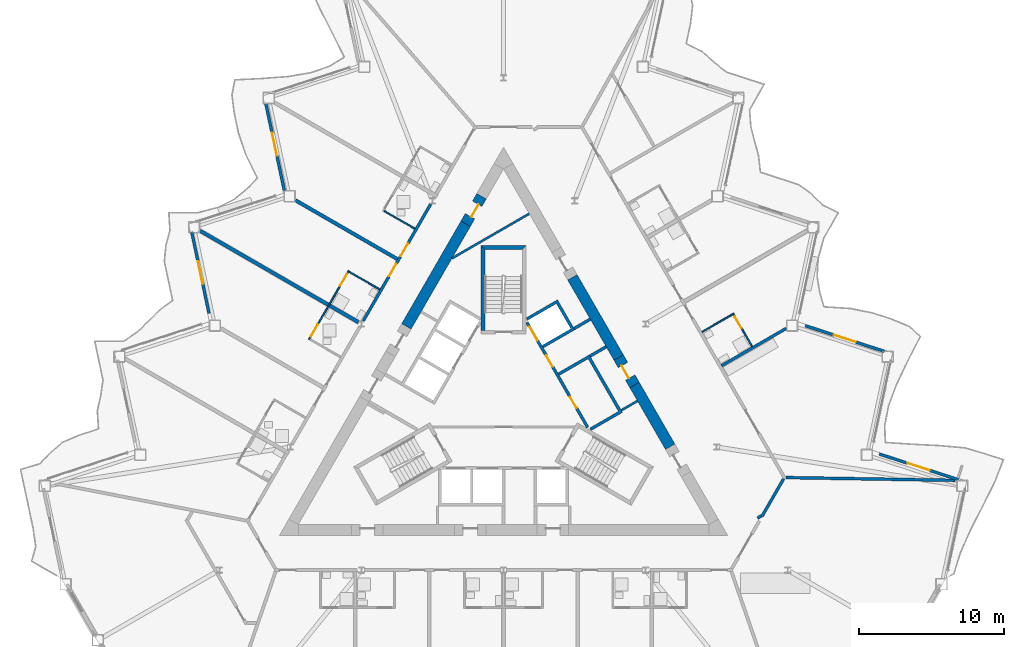
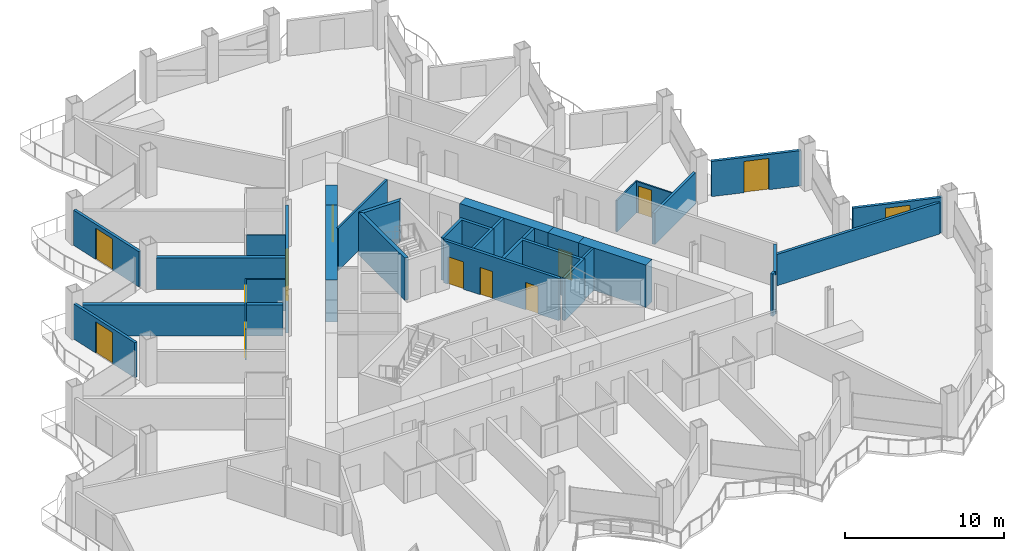
# One storey, part 13 of 23: 30 walls, 14 doors, 14 openings.
"""IFC4 building model written with IfcOpenShell, lengths in metres."""

from ifc_helpers import new_model, si_unit, direction, frame, frame_2d, origin, place, context, subcontext, project, spatial, polyline, rectangle, outline, extrude, material, layer, layer_set, type_object, element, fill, save


model = new_model("IFC4")

# Units and contexts
model_context = context("Model", 3, precision=1e-05, world=origin(), true_north=direction((0.0, 1.0)))
body_context = subcontext(model_context, "Body", "Model", "MODEL_VIEW")
ifc_project = project(units=[si_unit("LENGTHUNIT", "METRE"), si_unit("AREAUNIT", "SQUARE_METRE"), si_unit("VOLUMEUNIT", "CUBIC_METRE"), si_unit("PLANEANGLEUNIT", "RADIAN"), si_unit("MASSUNIT", "GRAM", prefix="KILO")], contexts=[model_context])

# Site, building, storey
site_placement = place(None, origin())
site = spatial("IfcSite", under=ifc_project, at=site_placement, CompositionType="ELEMENT")
building_placement = place(site_placement, origin())
building = spatial("IfcBuilding", under=site, at=building_placement, Name="Cormorant Prow Tower", CompositionType="ELEMENT")
storey_placement = place(building_placement, frame((0.0, 0.0, 180.0)))
storey = spatial("IfcBuildingStorey", under=building, at=storey_placement, Name="L38", CompositionType="ELEMENT", Elevation=180.0)

# Walls
ifc_material_1 = material(Name="Gypsum board partition")
ifc_layer_1 = layer(ifc_material_1, 0.14990234375)
ifc_layer_set_1 = layer_set([ifc_layer_1], Name="Gypsum board partition")
wall_type_1 = type_object("IfcWallType", Name="Core partition 150", PredefinedType="PARTITIONING", material=ifc_layer_set_1)
wall_1_placement = place(storey_placement, frame((9.265625, 0.349365234375, 0.0), z_axis=(0.0, 0.0, 1.0), x_axis=(-0.866003189247, -0.500038474733, 0.0)))
element("IfcWall", 1, at=wall_1_placement, inside=storey, type_object=wall_type_1, Name="Service room partition", PredefinedType="PARTITIONING", context=body_context, shape_type="SweptSolid", body=[
    extrude(rectangle(XDim=1.29296875, YDim=0.14990234375, at=frame_2d((0.646484375, 0.0))), origin(), (0.0, 0.0, 1.0), 3.25),
])
wall_2_placement = place(storey_placement, frame((1.78515625, 13.305908203125, 0.0), z_axis=(0.0, 0.0, 1.0), x_axis=(-0.866038319186, -0.499977629202, 0.0)))
element("IfcWall", 2, at=wall_2_placement, inside=storey, type_object=wall_type_1, Name="Service room partition", PredefinedType="PARTITIONING", context=body_context, shape_type="SweptSolid", body=[
    extrude(rectangle(XDim=6.183837890625, YDim=0.14990234375, at=frame_2d((3.091796875, 0.0))), origin(), (0.0, 0.0, 1.0), 3.25),
])
ifc_material_2 = material(Name="Concrete 8000 psi", Category="concrete")
ifc_layer_2 = layer(ifc_material_2, 0.75)
ifc_layer_set_2 = layer_set([ifc_layer_2], Name="Concrete 8000 psi")
wall_type_2 = type_object("IfcWallType", Name="Core shear wall 750", PredefinedType="SHEAR", material=ifc_layer_set_2)
wall_3_placement = place(storey_placement, frame((7.964111328125, 3.353759765625, 0.0), z_axis=(0.0, 0.0, 1.0), x_axis=(-0.50002928721, 0.866008494146, 0.0)))
element("IfcWall", 3, at=wall_3_placement, inside=storey, type_object=wall_type_2, Name="Core wall", PredefinedType="SHEAR", context=body_context, shape_type="SweptSolid", body=[
    extrude(rectangle(XDim=6.4052734375, YDim=0.75, at=frame_2d((3.20263671875, 0.0))), origin(), (0.0, 0.0, 1.0), 3.25),
])
wall_4_placement = place(storey_placement, frame((11.52685546875, -2.817138671875, 0.0), z_axis=(0.0, 0.0, 1.0), x_axis=(-0.50001992892, 0.866013897511, 0.0)))
element("IfcWall", 4, at=wall_4_placement, inside=storey, type_object=wall_type_2, Name="Core wall", PredefinedType="SHEAR", context=body_context, shape_type="SweptSolid", body=[
    extrude(rectangle(XDim=4.925537109375, YDim=0.75, at=frame_2d((2.462890625, 0.0))), origin(), (0.0, 0.0, 1.0), 3.25),
])
wall_5_placement = place(storey_placement, frame((-2.622314453125, 12.605712890625, 0.0), z_axis=(0.0, 0.0, 1.0), x_axis=(-0.500014611105, -0.866016967894, 0.0)))
element("IfcWall", 5, at=wall_5_placement, inside=storey, type_object=wall_type_2, Name="Core wall", PredefinedType="SHEAR", context=body_context, shape_type="SweptSolid", body=[
    extrude(rectangle(XDim=8.197998046875, YDim=0.75, at=frame_2d((4.09912109375, 0.0))), origin(), (0.0, 0.0, 1.0), 3.25),
])

# Wall, opening, door
wall_6_placement = place(storey_placement, frame((9.064208984375, 1.448486328125, 0.0), z_axis=(0.0, 0.0, 1.0), x_axis=(-0.50002983664, 0.866008176907, 0.0)))
wall_6 = element("IfcWall", 6, at=wall_6_placement, inside=storey, type_object=wall_type_2, Name="Core wall door panel", PredefinedType="SHEAR", context=body_context, shape_type="SweptSolid", body=[
    extrude(rectangle(XDim=2.199951171875, YDim=0.75, at=frame_2d((1.10009765625, 0.0))), origin(), (0.0, 0.0, 1.0), 3.25),
])
opening_1_placement = place(wall_6_placement, frame((0.60009765625, 0.0, 0.0)))
opening_1 = element("IfcOpeningElement", 7, at=opening_1_placement, cuts=wall_6, Name="Opening L38-C18", PredefinedType="OPENING", context=body_context, shape_type="SweptSolid", body=[
    extrude(rectangle(XDim=1.0, YDim=2.10009765625, at=frame_2d((0.5, 1.050048828125))), frame((0.0, 0.385009765625, 0.0), z_axis=(0.0, -1.0, 0.0), x_axis=(1.0, 0.0, 0.0)), (0.0, 0.0, 1.0), 0.77001953125),
])
ifc_material_3 = material(Name="Painted steel", Category="steel")
door_type_1 = type_object("IfcDoorType", Name="Service door 1000x2100", OperationType="NOTDEFINED", PredefinedType="DOOR", material=ifc_material_3)
door_1_placement = place(opening_1_placement, origin())
door_1 = element("IfcDoor", 8, at=door_1_placement, inside=storey, type_object=door_type_1, Name="Core door, Housekeeping store", OperationType="SINGLE_SWING_RIGHT", OverallHeight=2.10009765625, OverallWidth=1.0, PredefinedType="DOOR", context=body_context, shape_type="SweptSolid", body=[
    extrude(rectangle(XDim=1.0, YDim=2.10009765625, at=frame_2d((0.5, 1.050048828125))), frame((0.0, 0.1298828125, 0.0), z_axis=(0.0, -1.0, 0.0), x_axis=(1.0, 0.0, 0.0)), (0.0, 0.0, 1.0), 0.050048828125),
])
fill(opening_1, door_1)

wall_7_placement = place(storey_placement, frame((-1.5224609375, 14.510986328125, 0.0), z_axis=(0.0, 0.0, 1.0), x_axis=(-0.499946605688, -0.86605622881, 0.0)))
wall_7 = element("IfcWall", 9, at=wall_7_placement, inside=storey, type_object=wall_type_2, Name="Core wall door panel", PredefinedType="SHEAR", context=body_context, shape_type="SweptSolid", body=[
    extrude(rectangle(XDim=2.199951171875, YDim=0.75, at=frame_2d((1.10009765625, 0.0))), origin(), (0.0, 0.0, 1.0), 3.25),
])
opening_2_placement = place(wall_7_placement, frame((0.60009765625, 0.0, 0.0)))
opening_2 = element("IfcOpeningElement", 10, at=opening_2_placement, cuts=wall_7, Name="Opening L38-C21", PredefinedType="OPENING", context=body_context, shape_type="SweptSolid", body=[
    extrude(rectangle(XDim=1.0, YDim=2.10009765625, at=frame_2d((0.5, 1.050048828125))), frame((0.0, 0.385009765625, 0.0), z_axis=(0.0, -1.0, 0.0), x_axis=(1.0, 0.0, 0.0)), (0.0, 0.0, 1.0), 0.77001953125),
])
door_2_placement = place(opening_2_placement, origin())
door_2 = element("IfcDoor", 11, at=door_2_placement, inside=storey, type_object=door_type_1, Name="Core door, Refuse store", OperationType="SINGLE_SWING_LEFT", OverallHeight=2.10009765625, OverallWidth=1.0, PredefinedType="DOOR", context=body_context, shape_type="SweptSolid", body=[
    extrude(rectangle(XDim=1.0, YDim=2.10009765625, at=frame_2d((0.5, 1.050048828125))), frame((0.0, 0.1298828125, 0.0), z_axis=(0.0, -1.0, 0.0), x_axis=(1.0, 0.0, 0.0)), (0.0, 0.0, 1.0), 0.050048828125),
])
fill(opening_2, door_2)

# Wall, openings, doors
ifc_material_4 = material(Name="Gypsum board corridor wall")
ifc_layer_3 = layer(ifc_material_4, 0.199951171875)
ifc_layer_set_3 = layer_set([ifc_layer_3], Name="Gypsum board corridor wall")
wall_type_3 = type_object("IfcWallType", Name="Corridor wall 200", PredefinedType="PARTITIONING", material=ifc_layer_set_3)
wall_8_placement = place(storey_placement, frame((-9.705078125, 5.88818359375, 0.0), z_axis=(0.0, 0.0, 1.0), x_axis=(0.50000393355, 0.866023132736, 0.0)))
wall_8 = element("IfcWall", 12, at=wall_8_placement, inside=storey, type_object=wall_type_3, Name="Corridor wall", PredefinedType="PARTITIONING", context=body_context, shape_type="SweptSolid", body=[
    extrude(rectangle(XDim=9.3349609375, YDim=0.199951171875, at=frame_2d((4.66748046875, 0.0))), origin(), (0.0, 0.0, 1.0), 3.25),
])
opening_3_placement = place(wall_8_placement, frame((5.171875, 0.0, 0.0)))
opening_3 = element("IfcOpeningElement", 13, at=opening_3_placement, cuts=wall_8, Name="Opening L38-F26", PredefinedType="OPENING", context=body_context, shape_type="SweptSolid", body=[
    extrude(rectangle(XDim=1.0, YDim=2.10009765625, at=frame_2d((0.5, 1.050048828125))), frame((0.0, 0.10986328125, 0.0), z_axis=(0.0, -1.0, 0.0), x_axis=(1.0, 0.0, 0.0)), (0.0, 0.0, 1.0), 0.219970703125),
])
opening_4_placement = place(wall_8_placement, frame((3.564697265625, 0.0, 0.0)))
opening_4 = element("IfcOpeningElement", 14, at=opening_4_placement, cuts=wall_8, Name="Opening L38-F28", PredefinedType="OPENING", context=body_context, shape_type="SweptSolid", body=[
    extrude(rectangle(XDim=1.0, YDim=2.10009765625, at=frame_2d((0.5, 1.050048828125))), frame((0.0, 0.10986328125, 0.0), z_axis=(0.0, -1.0, 0.0), x_axis=(1.0, 0.0, 0.0)), (0.0, 0.0, 1.0), 0.219970703125),
])
ifc_material_5 = material(Name="Timber door leaf", Category="wood")
door_type_2 = type_object("IfcDoorType", Name="Flat or room entrance door 1000x2100", OperationType="NOTDEFINED", PredefinedType="DOOR", material=ifc_material_5)
door_3_placement = place(opening_3_placement, origin())
door_3 = element("IfcDoor", 15, at=door_3_placement, inside=storey, type_object=door_type_2, Name="Guest room door", OperationType="SINGLE_SWING_LEFT", OverallHeight=2.10009765625, OverallWidth=1.0, PredefinedType="DOOR", context=body_context, shape_type="SweptSolid", body=[
    extrude(rectangle(XDim=1.0, YDim=2.10009765625, at=frame_2d((0.5, 1.050048828125))), frame((0.0, 0.02490234375, 0.0), z_axis=(0.0, -1.0, 0.0), x_axis=(1.0, 0.0, 0.0)), (0.0, 0.0, 1.0), 0.050048828125),
])
fill(opening_3, door_3)
door_4_placement = place(opening_4_placement, origin())
door_4 = element("IfcDoor", 16, at=door_4_placement, inside=storey, type_object=door_type_2, Name="Guest room door", OperationType="SINGLE_SWING_RIGHT", OverallHeight=2.10009765625, OverallWidth=1.0, PredefinedType="DOOR", context=body_context, shape_type="SweptSolid", body=[
    extrude(rectangle(XDim=1.0, YDim=2.10009765625, at=frame_2d((0.5, 1.050048828125))), frame((0.0, 0.02490234375, 0.0), z_axis=(0.0, -1.0, 0.0), x_axis=(1.0, 0.0, 0.0)), (0.0, 0.0, 1.0), 0.050048828125),
])
fill(opening_4, door_4)

# Walls
wall_9_placement = place(storey_placement, frame((17.875, -7.635498046875, 0.0), z_axis=(0.0, 0.0, 1.0), x_axis=(0.499952404951, 0.866052881055, 0.0)))
element("IfcWall", 17, at=wall_9_placement, inside=storey, type_object=wall_type_3, Name="Corridor wall", PredefinedType="PARTITIONING", context=body_context, shape_type="SweptSolid", body=[
    extrude(rectangle(XDim=3.002197265625, YDim=0.199951171875, at=frame_2d((1.5009765625, 0.0))), origin(), (0.0, 0.0, 1.0), 3.25),
])
wall_10_placement = place(storey_placement, frame((17.56982421875, -7.75390625, 0.0), z_axis=(0.0, 0.0, 1.0), x_axis=(0.866054481515, 0.499949632511, 0.0)))
element("IfcWall", 18, at=wall_10_placement, inside=storey, type_object=wall_type_3, Name="Corridor wall", PredefinedType="PARTITIONING", context=body_context, shape_type="SweptSolid", body=[
    extrude(rectangle(XDim=0.31005859375, YDim=0.199951171875, at=frame_2d((0.155029296875, 0.0))), origin(), (0.0, 0.0, 1.0), 3.25),
])
ifc_material_6 = material(Name="Gypsum board demising wall")
ifc_layer_4 = layer(ifc_material_6, 0.199951171875)
ifc_layer_set_4 = layer_set([ifc_layer_4], Name="Gypsum board demising wall")
wall_type_4 = type_object("IfcWallType", Name="Demising wall 200", PredefinedType="PARTITIONING", material=ifc_layer_set_4)
wall_11_placement = place(storey_placement, frame((19.52587890625, -4.950439453125, 0.0), z_axis=(0.0, 0.0, 1.0), x_axis=(0.99986514458, -0.016422321819, 0.0)))
element("IfcWall", 19, at=wall_11_placement, inside=storey, type_object=wall_type_4, Name="Demising wall", PredefinedType="PARTITIONING", context=body_context, shape_type="SweptSolid", body=[
    extrude(rectangle(XDim=11.714599609375, YDim=0.199951171875, at=frame_2d((5.857421875, 0.0))), origin(), (0.0, 0.0, 1.0), 2.404296875),
])
wall_12_placement = place(storey_placement, frame((15.07666015625, 2.7841796875, 0.0), z_axis=(0.0, 0.0, 1.0), x_axis=(0.866020469142, 0.500008546953, 0.0)))
element("IfcWall", 20, at=wall_12_placement, inside=storey, type_object=wall_type_4, Name="Demising wall", PredefinedType="PARTITIONING", context=body_context, shape_type="SweptSolid", body=[
    extrude(rectangle(XDim=5.1708984375, YDim=0.199951171875, at=frame_2d((2.58544921875, 0.0))), origin(), (0.0, 0.0, 1.0), 2.404296875),
])

# Wall, openings, doors
ifc_material_7 = material(Name="Gypsum board partition")
ifc_layer_5 = layer(ifc_material_7, 0.10009765625)
ifc_layer_set_5 = layer_set([ifc_layer_5], Name="Gypsum board partition")
wall_type_5 = type_object("IfcWallType", Name="Internal partition 100", PredefinedType="PARTITIONING", material=ifc_layer_set_5)
wall_13_placement = place(storey_placement, frame((-13.455078125, 4.593017578125, 0.0), z_axis=(0.0, 0.0, 1.0), x_axis=(0.500015767406, 0.866016300277, 0.0)))
wall_13 = element("IfcWall", 21, at=wall_13_placement, inside=storey, type_object=wall_type_5, Name="Internal partition", PredefinedType="PARTITIONING", context=body_context, shape_type="SweptSolid", body=[
    extrude(rectangle(XDim=5.499755859375, YDim=0.10009765625, at=frame_2d((2.75, 0.0))), origin(), (0.0, 0.0, 1.0), 2.404296875),
])
opening_5_placement = place(wall_13_placement, frame((4.300048828125, 0.0, 0.0)))
opening_5 = element("IfcOpeningElement", 22, at=opening_5_placement, cuts=wall_13, Name="Opening L38-F29", PredefinedType="OPENING", context=body_context, shape_type="SweptSolid", body=[
    extrude(rectangle(XDim=0.949951171875, YDim=2.10009765625, at=frame_2d((0.47509765625, 1.050048828125))), frame((0.0, 0.06005859375, 0.0), z_axis=(0.0, -1.0, 0.0), x_axis=(1.0, 0.0, 0.0)), (0.0, 0.0, 1.0), 0.1201171875),
])
opening_6_placement = place(wall_13_placement, frame((0.25, 0.0, 0.0)))
opening_6 = element("IfcOpeningElement", 23, at=opening_6_placement, cuts=wall_13, Name="Opening L38-F31", PredefinedType="OPENING", context=body_context, shape_type="SweptSolid", body=[
    extrude(rectangle(XDim=0.949951171875, YDim=2.10009765625, at=frame_2d((0.47509765625, 1.050048828125))), frame((0.0, 0.06005859375, 0.0), z_axis=(0.0, -1.0, 0.0), x_axis=(1.0, 0.0, 0.0)), (0.0, 0.0, 1.0), 0.1201171875),
])
ifc_material_8 = material(Name="Timber door leaf", Category="wood")
door_type_3 = type_object("IfcDoorType", Name="Bathroom door 950x2100", OperationType="NOTDEFINED", PredefinedType="DOOR", material=ifc_material_8)
door_5_placement = place(opening_5_placement, origin())
door_5 = element("IfcDoor", 24, at=door_5_placement, inside=storey, type_object=door_type_3, Name="Guest room door", OperationType="SINGLE_SWING_RIGHT", OverallHeight=2.10009765625, OverallWidth=0.949951171875, PredefinedType="DOOR", context=body_context, shape_type="SweptSolid", body=[
    extrude(rectangle(XDim=0.949951171875, YDim=2.10009765625, at=frame_2d((0.47509765625, 1.050048828125))), frame((0.0, 0.02490234375, 0.0), z_axis=(0.0, -1.0, 0.0), x_axis=(1.0, 0.0, 0.0)), (0.0, 0.0, 1.0), 0.050048828125),
])
fill(opening_5, door_5)
door_6_placement = place(opening_6_placement, origin())
door_6 = element("IfcDoor", 25, at=door_6_placement, inside=storey, type_object=door_type_3, Name="Guest room door", OperationType="SINGLE_SWING_LEFT", OverallHeight=2.10009765625, OverallWidth=0.949951171875, PredefinedType="DOOR", context=body_context, shape_type="SweptSolid", body=[
    extrude(rectangle(XDim=0.949951171875, YDim=2.10009765625, at=frame_2d((0.47509765625, 1.050048828125))), frame((0.0, 0.02490234375, 0.0), z_axis=(0.0, -1.0, 0.0), x_axis=(1.0, 0.0, 0.0)), (0.0, 0.0, 1.0), 0.050048828125),
])
fill(opening_6, door_6)

# Wall, opening, door
wall_14_placement = place(storey_placement, frame((15.86669921875, 6.415771484375, 0.0), z_axis=(0.0, 0.0, 1.0), x_axis=(0.500062700197, -0.865989200783, 0.0)))
wall_14 = element("IfcWall", 26, at=wall_14_placement, inside=storey, type_object=wall_type_5, Name="Internal partition", PredefinedType="PARTITIONING", context=body_context, shape_type="SweptSolid", body=[
    extrude(rectangle(XDim=2.650146484375, YDim=0.10009765625, at=frame_2d((1.3251953125, 0.0))), origin(), (0.0, 0.0, 1.0), 2.404296875),
])
opening_7_placement = place(wall_14_placement, frame((0.25, 0.0, 0.0)))
opening_7 = element("IfcOpeningElement", 27, at=opening_7_placement, cuts=wall_14, Name="Opening L38-F16", PredefinedType="OPENING", context=body_context, shape_type="SweptSolid", body=[
    extrude(rectangle(XDim=0.949951171875, YDim=2.10009765625, at=frame_2d((0.47509765625, 1.050048828125))), frame((0.0, 0.06005859375, 0.0), z_axis=(0.0, -1.0, 0.0), x_axis=(1.0, 0.0, 0.0)), (0.0, 0.0, 1.0), 0.1201171875),
])
door_7_placement = place(opening_7_placement, origin())
door_7 = element("IfcDoor", 28, at=door_7_placement, inside=storey, type_object=door_type_3, Name="Guest room door", OperationType="SINGLE_SWING_LEFT", OverallHeight=2.10009765625, OverallWidth=0.949951171875, PredefinedType="DOOR", context=body_context, shape_type="SweptSolid", body=[
    extrude(rectangle(XDim=0.949951171875, YDim=2.10009765625, at=frame_2d((0.47509765625, 1.050048828125))), frame((0.0, 0.02490234375, 0.0), z_axis=(0.0, -1.0, 0.0), x_axis=(1.0, 0.0, 0.0)), (0.0, 0.0, 1.0), 0.050048828125),
])
fill(opening_7, door_7)

# Walls
wall_15_placement = place(storey_placement, frame((-8.259765625, 13.49169921875, 0.0), z_axis=(0.0, 0.0, 1.0), x_axis=(0.866014668023, -0.500018594424, 0.0)))
element("IfcWall", 29, at=wall_15_placement, inside=storey, type_object=wall_type_5, Name="Internal partition", PredefinedType="PARTITIONING", context=body_context, shape_type="SweptSolid", body=[
    extrude(rectangle(XDim=2.4501953125, YDim=0.10009765625, at=frame_2d((1.22509765625, 0.0))), origin(), (0.0, 0.0, 1.0), 2.404296875),
])
for number, where, z_axis, x_axis, name in (
    (30, (13.726806640625, 5.12255859375, 0.0), (0.0, 0.0, 1.0), (0.866032905446, 0.499987006516, 0.0), "Internal partition"),
    (31, (-10.686767578125, 9.28759765625, 0.0), (0.0, 0.0, 1.0), (0.866032905446, -0.499987006516, 0.0), "Internal partition"),
):
    element("IfcWall", number, at=place(storey_placement, frame(where, z_axis=z_axis, x_axis=x_axis)), inside=storey, type_object=wall_type_5, Name=name, PredefinedType="PARTITIONING", context=body_context, shape_type="SweptSolid", body=[
        extrude(rectangle(XDim=2.44970703125, YDim=0.10009765625, at=frame_2d((1.224853515625, 0.0))), origin(), (0.0, 0.0, 1.0), 2.404296875),
    ])

# Wall, openings, doors
ifc_material_9 = material(Name="Concrete 5000 psi", Category="concrete")
ifc_layer_6 = layer(ifc_material_9, 0.199951171875)
ifc_layer_set_6 = layer_set([ifc_layer_6], Name="Concrete 5000 psi")
wall_type_6 = type_object("IfcWallType", Name="Lift lobby wall 200", PredefinedType="SOLIDWALL", material=ifc_layer_set_6)
wall_16_placement = place(storey_placement, frame((5.817138671875, -1.4755859375, 0.0), z_axis=(0.0, 0.0, 1.0), x_axis=(-0.500002616675, 0.866023893041, 0.0)))
wall_16 = element("IfcWall", 32, at=wall_16_placement, inside=storey, type_object=wall_type_6, Name="Lift lobby wall, ENE block", PredefinedType="SOLIDWALL", context=body_context, shape_type="SweptSolid", body=[
    extrude(rectangle(XDim=8.373046875, YDim=0.199951171875, at=frame_2d((4.1865234375, 0.0))), origin(), (0.0, 0.0, 1.0), 3.25),
])
opening_8_placement = place(wall_16_placement, frame((1.53662109375, 0.0, 0.0)))
opening_8 = element("IfcOpeningElement", 33, at=opening_8_placement, cuts=wall_16, Name="Opening L38-C05", PredefinedType="OPENING", context=body_context, shape_type="SweptSolid", body=[
    extrude(rectangle(XDim=0.89990234375, YDim=2.10009765625, at=frame_2d((0.449951171875, 1.050048828125))), frame((0.0, 0.10986328125, 0.0), z_axis=(0.0, -1.0, 0.0), x_axis=(1.0, 0.0, 0.0)), (0.0, 0.0, 1.0), 0.219970703125),
])
opening_9_placement = place(wall_16_placement, frame((4.836669921875, 0.0, 0.0)))
opening_9 = element("IfcOpeningElement", 34, at=opening_9_placement, cuts=wall_16, Name="Opening L38-C06", PredefinedType="OPENING", context=body_context, shape_type="SweptSolid", body=[
    extrude(rectangle(XDim=0.89990234375, YDim=2.10009765625, at=frame_2d((0.449951171875, 1.050048828125))), frame((0.0, 0.10986328125, 0.0), z_axis=(0.0, -1.0, 0.0), x_axis=(1.0, 0.0, 0.0)), (0.0, 0.0, 1.0), 0.219970703125),
])
opening_10_placement = place(wall_16_placement, frame((6.9365234375, 0.0, 0.0)))
opening_10 = element("IfcOpeningElement", 35, at=opening_10_placement, cuts=wall_16, Name="Opening L38-C07", PredefinedType="OPENING", context=body_context, shape_type="SweptSolid", body=[
    extrude(rectangle(XDim=1.10009765625, YDim=2.10009765625, at=frame_2d((0.550048828125, 1.050048828125))), frame((0.0, 0.10986328125, 0.0), z_axis=(0.0, -1.0, 0.0), x_axis=(1.0, 0.0, 0.0)), (0.0, 0.0, 1.0), 0.219970703125),
])
ifc_material_10 = material(Name="Painted steel", Category="steel")
door_type_4 = type_object("IfcDoorType", Name="Lift landing door 1100x2100", OperationType="SLIDING_TO_LEFT", PredefinedType="DOOR", material=ifc_material_10)
door_8_placement = place(opening_10_placement, origin())
door_8 = element("IfcDoor", 36, at=door_8_placement, inside=storey, type_object=door_type_4, Name="Landing door MR1", OperationType="SLIDING_TO_LEFT", OverallHeight=2.10009765625, OverallWidth=1.10009765625, PredefinedType="DOOR", context=body_context, shape_type="SweptSolid", body=[
    extrude(rectangle(XDim=1.10009765625, YDim=2.10009765625, at=frame_2d((0.550048828125, 1.050048828125))), frame((0.0, 0.02490234375, 0.0), z_axis=(0.0, -1.0, 0.0), x_axis=(1.0, 0.0, 0.0)), (0.0, 0.0, 1.0), 0.050048828125),
])
fill(opening_10, door_8)
ifc_material_11 = material(Name="Painted steel", Category="steel")
door_type_5 = type_object("IfcDoorType", Name="Service door 900x2100", OperationType="NOTDEFINED", PredefinedType="DOOR", material=ifc_material_11)
door_9_placement = place(opening_8_placement, origin())
door_9 = element("IfcDoor", 37, at=door_9_placement, inside=storey, type_object=door_type_5, Name="Service door, Refuse store", OperationType="SINGLE_SWING_LEFT", OverallHeight=2.10009765625, OverallWidth=0.89990234375, PredefinedType="DOOR", context=body_context, shape_type="SweptSolid", body=[
    extrude(rectangle(XDim=0.89990234375, YDim=2.10009765625, at=frame_2d((0.449951171875, 1.050048828125))), frame((0.0, 0.02490234375, 0.0), z_axis=(0.0, -1.0, 0.0), x_axis=(1.0, 0.0, 0.0)), (0.0, 0.0, 1.0), 0.050048828125),
])
fill(opening_8, door_9)
door_10_placement = place(opening_9_placement, origin())
door_10 = element("IfcDoor", 38, at=door_10_placement, inside=storey, type_object=door_type_5, Name="Service door, Telecom room", OperationType="SINGLE_SWING_RIGHT", OverallHeight=2.10009765625, OverallWidth=0.89990234375, PredefinedType="DOOR", context=body_context, shape_type="SweptSolid", body=[
    extrude(rectangle(XDim=0.89990234375, YDim=2.10009765625, at=frame_2d((0.449951171875, 1.050048828125))), frame((0.0, 0.02490234375, 0.0), z_axis=(0.0, -1.0, 0.0), x_axis=(1.0, 0.0, 0.0)), (0.0, 0.0, 1.0), 0.050048828125),
])
fill(opening_9, door_10)

# Walls
ifc_material_12 = material(Name="Concrete 8000 psi", Category="concrete")
ifc_layer_7 = layer(ifc_material_12, 0.199951171875)
ifc_layer_set_7 = layer_set([ifc_layer_7], Name="Concrete 8000 psi")
wall_type_7 = type_object("IfcWallType", Name="Lift shaft wall 200", PredefinedType="SHEAR", material=ifc_layer_set_7)
wall_17_placement = place(storey_placement, origin())
element("IfcWall", 39, at=wall_17_placement, inside=storey, type_object=wall_type_7, Name="Lift shaft walls, ENE block", PredefinedType="SHEAR", context=body_context, shape_type="SweptSolid", body=[
    extrude(outline(polyline([(1.560546875, 6.09716796875), (3.730712890625, 7.35009765625), (4.930908203125, 5.271728515625), (2.760498046875, 4.018798828125), (2.660400390625, 4.19189453125), (4.65234375, 5.341796875), (3.65234375, 7.073974609375), (1.660400390625, 5.923828125), (1.560546875, 6.09716796875)])), origin(), (0.0, 0.0, 1.0), 3.25),
])
wall_18_placement = place(storey_placement, origin())
element("IfcWall", 40, at=wall_18_placement, inside=storey, type_object=wall_type_7, Name="Lift shaft walls, ENE block", PredefinedType="SHEAR", context=body_context, shape_type="SweptSolid", body=[
    extrude(outline(polyline([(3.760498046875, 2.28662109375), (5.930908203125, 3.53955078125), (8.230712890625, -0.444091796875), (6.060546875, -1.697021484375), (5.96044921875, -1.52392578125), (7.952392578125, -0.373779296875), (5.852294921875, 3.263427734375), (3.860595703125, 2.11328125), (3.760498046875, 2.28662109375)])), origin(), (0.0, 0.0, 1.0), 3.25),
])
wall_19_placement = place(storey_placement, frame((5.980712890625, 3.452880859375, 0.0), z_axis=(0.0, 0.0, 1.0), x_axis=(0.865968639725, 0.500098305348, 0.0)))
element("IfcWall", 41, at=wall_19_placement, inside=storey, type_object=wall_type_7, Name="Store side wall", PredefinedType="SHEAR", context=body_context, shape_type="SweptSolid", body=[
    extrude(rectangle(XDim=1.293212890625, YDim=0.199951171875, at=frame_2d((0.646484375, 0.0))), origin(), (0.0, 0.0, 1.0), 3.25),
])
wall_20_placement = place(storey_placement, frame((4.880859375, 5.3583984375, 0.0), z_axis=(0.0, 0.0, 1.0), x_axis=(0.866084958089, 0.499896834728, 0.0)))
element("IfcWall", 42, at=wall_20_placement, inside=storey, type_object=wall_type_7, Name="Store side wall", PredefinedType="SHEAR", context=body_context, shape_type="SweptSolid", body=[
    extrude(rectangle(XDim=1.292724609375, YDim=0.199951171875, at=frame_2d((0.646484375, 0.0))), origin(), (0.0, 0.0, 1.0), 3.25),
])
ifc_material_13 = material(Name="Concrete 8000 psi", Category="concrete")
ifc_layer_8 = layer(ifc_material_13, 0.25)
ifc_layer_set_8 = layer_set([ifc_layer_8], Name="Concrete 8000 psi")
wall_type_8 = type_object("IfcWallType", Name="Stair wall 250", PredefinedType="SHEAR", material=ifc_layer_set_8)
wall_21_placement = place(storey_placement, origin())
element("IfcWall", 43, at=wall_21_placement, inside=storey, type_object=wall_type_8, Name="Stair ST3 enclosure wall (end)", PredefinedType="SHEAR", context=body_context, shape_type="SweptSolid", body=[
    extrude(outline(polyline([(1.5439453125, 11.0869140625), (-1.5439453125, 11.0869140625), (-1.2939453125, 10.8369140625), (1.2939453125, 10.8369140625), (1.5439453125, 11.0869140625)])), origin(), (0.0, 0.0, 1.0), 3.25),
])
wall_22_placement = place(storey_placement, origin())
element("IfcWall", 44, at=wall_22_placement, inside=storey, type_object=wall_type_8, Name="Stair ST3 enclosure wall (flank)", PredefinedType="SHEAR", context=body_context, shape_type="SweptSolid", body=[
    extrude(outline(polyline([(-1.2939453125, 10.8369140625), (-1.5439453125, 11.0869140625), (-1.5439453125, 5.23681640625), (-1.2939453125, 5.23681640625), (-1.2939453125, 10.8369140625)])), origin(), (0.0, 0.0, 1.0), 3.25),
])
ifc_material_14 = material(Name="Acoustic gypsum party wall")
ifc_layer_9 = layer(ifc_material_14, 0.25)
ifc_layer_set_9 = layer_set([ifc_layer_9], Name="Acoustic gypsum party wall")
wall_type_9 = type_object("IfcWallType", Name="Suite party wall 250", PredefinedType="PARTITIONING", material=ifc_layer_set_9)
wall_23_placement = place(storey_placement, frame((-20.99951171875, 12.1240234375, 0.0), z_axis=(0.0, 0.0, 1.0), x_axis=(0.866025883649, -0.499999168849, 0.0)))
element("IfcWall", 45, at=wall_23_placement, inside=storey, type_object=wall_type_9, Name="Suite party wall", PredefinedType="PARTITIONING", context=body_context, shape_type="SweptSolid", body=[
    extrude(rectangle(XDim=12.65234375, YDim=0.25, at=frame_2d((6.326171875, 0.0))), origin(), (0.0, 0.0, 1.0), 2.404296875),
])
wall_24_placement = place(storey_placement, frame((-14.389892578125, 14.228271484375, 0.0), z_axis=(0.0, 0.0, 1.0), x_axis=(0.866031008936, -0.499990291468, 0.0)))
element("IfcWall", 46, at=wall_24_placement, inside=storey, type_object=wall_type_9, Name="Suite party wall", PredefinedType="PARTITIONING", context=body_context, shape_type="SweptSolid", body=[
    extrude(rectangle(XDim=8.127197265625, YDim=0.25, at=frame_2d((4.0634765625, 0.0))), origin(), (0.0, 0.0, 1.0), 2.404296875),
])

# Wall, opening, door
ifc_material_15 = material(Name="Terracotta", Category="masonry")
ifc_layer_10 = layer(ifc_material_15, 0.199951171875)
ifc_layer_set_10 = layer_set([ifc_layer_10], Name="Terracotta")
wall_type_10 = type_object("IfcWallType", Name="Terracotta jamb wall 200", PredefinedType="SOLIDWALL", material=ifc_layer_set_10)
wall_25_placement = place(storey_placement, frame((31.470703125, -5.101318359375, 0.0), z_axis=(0.0, 0.0, 1.0), x_axis=(-0.951053678976, 0.30902572661, 0.0)))
wall_25 = element("IfcWall", 47, at=wall_25_placement, inside=storey, type_object=wall_type_10, Name="Terracotta jamb wall ENE01", PredefinedType="SOLIDWALL", context=body_context, shape_type="SweptSolid", body=[
    extrude(rectangle(XDim=5.76318359375, YDim=0.199951171875, at=frame_2d((2.881591796875, 0.0))), origin(), (0.0, 0.0, 1.0), 2.700927734375),
])
opening_11_placement = place(wall_25_placement, frame((2.08154296875, 0.0, 0.0)))
opening_11 = element("IfcOpeningElement", 48, at=opening_11_placement, cuts=wall_25, Name="Opening ED38.06", PredefinedType="OPENING", context=body_context, shape_type="SweptSolid", body=[
    extrude(rectangle(XDim=1.60009765625, YDim=2.39990234375, at=frame_2d((0.800048828125, 1.199951171875))), frame((0.0, 0.10986328125, 0.0), z_axis=(0.0, -1.0, 0.0), x_axis=(1.0, 0.0, 0.0)), (0.0, 0.0, 1.0), 0.219970703125),
])
ifc_material_16 = material(Name="Aluminium 6063-T6", Category="aluminium")
door_type_6 = type_object("IfcDoorType", Name="Balcony door 1600x2400", OperationType="DOUBLE_DOOR_SINGLE_SWING", PredefinedType="DOOR", material=ifc_material_16)
door_11_placement = place(opening_11_placement, origin())
door_11 = element("IfcDoor", 49, at=door_11_placement, inside=storey, type_object=door_type_6, Name="Balcony door ENE01 ED38.06", OperationType="DOUBLE_DOOR_SINGLE_SWING", OverallHeight=2.39990234375, OverallWidth=1.60009765625, PredefinedType="DOOR", context=body_context, shape_type="SweptSolid", body=[
    extrude(rectangle(XDim=1.60009765625, YDim=2.39990234375, at=frame_2d((0.800048828125, 1.199951171875))), frame((0.0, 0.02490234375, 0.0), z_axis=(0.0, -1.0, 0.0), x_axis=(1.0, 0.0, 0.0)), (0.0, 0.0, 1.0), 0.050048828125),
])
fill(opening_11, door_11)

wall_26_placement = place(storey_placement, frame((26.343505859375, 3.779052734375, 0.0), z_axis=(0.0, 0.0, 1.0), x_axis=(-0.951049633358, 0.309038177075, 0.0)))
wall_26 = element("IfcWall", 50, at=wall_26_placement, inside=storey, type_object=wall_type_10, Name="Terracotta jamb wall ENE03", PredefinedType="SOLIDWALL", context=body_context, shape_type="SweptSolid", body=[
    extrude(rectangle(XDim=5.762939453125, YDim=0.199951171875, at=frame_2d((2.88134765625, 0.0))), origin(), (0.0, 0.0, 1.0), 2.700927734375),
])
opening_12_placement = place(wall_26_placement, frame((2.08154296875, 0.0, 0.0)))
opening_12 = element("IfcOpeningElement", 51, at=opening_12_placement, cuts=wall_26, Name="Opening ED38.07", PredefinedType="OPENING", context=body_context, shape_type="SweptSolid", body=[
    extrude(rectangle(XDim=1.60009765625, YDim=2.39990234375, at=frame_2d((0.800048828125, 1.199951171875))), frame((0.0, 0.10986328125, 0.0), z_axis=(0.0, -1.0, 0.0), x_axis=(1.0, 0.0, 0.0)), (0.0, 0.0, 1.0), 0.219970703125),
])
door_12_placement = place(opening_12_placement, origin())
door_12 = element("IfcDoor", 52, at=door_12_placement, inside=storey, type_object=door_type_6, Name="Balcony door ENE03 ED38.07", OperationType="DOUBLE_DOOR_SINGLE_SWING", OverallHeight=2.39990234375, OverallWidth=1.60009765625, PredefinedType="DOOR", context=body_context, shape_type="SweptSolid", body=[
    extrude(rectangle(XDim=1.60009765625, YDim=2.39990234375, at=frame_2d((0.800048828125, 1.199951171875))), frame((0.0, 0.02490234375, 0.0), z_axis=(0.0, -1.0, 0.0), x_axis=(1.0, 0.0, 0.0)), (0.0, 0.0, 1.0), 0.050048828125),
])
fill(opening_12, door_12)

wall_27_placement = place(storey_placement, frame((-16.444580078125, 20.9248046875, 0.0), z_axis=(0.0, 0.0, 1.0), x_axis=(0.20791050027, -0.978147853792, 0.0)))
wall_27 = element("IfcWall", 53, at=wall_27_placement, inside=storey, type_object=wall_type_10, Name="Terracotta jamb wall WNW03", PredefinedType="SOLIDWALL", context=body_context, shape_type="SweptSolid", body=[
    extrude(rectangle(XDim=6.15087890625, YDim=0.199951171875, at=frame_2d((3.075439453125, 0.0))), origin(), (0.0, 0.0, 1.0), 2.700927734375),
])
opening_13_placement = place(wall_27_placement, frame((2.08154296875, 0.0, 0.0)))
opening_13 = element("IfcOpeningElement", 54, at=opening_13_placement, cuts=wall_27, Name="Opening ED38.12", PredefinedType="OPENING", context=body_context, shape_type="SweptSolid", body=[
    extrude(rectangle(XDim=1.60009765625, YDim=2.39990234375, at=frame_2d((0.800048828125, 1.199951171875))), frame((0.0, 0.10986328125, 0.0), z_axis=(0.0, -1.0, 0.0), x_axis=(1.0, 0.0, 0.0)), (0.0, 0.0, 1.0), 0.219970703125),
])
door_13_placement = place(opening_13_placement, origin())
door_13 = element("IfcDoor", 55, at=door_13_placement, inside=storey, type_object=door_type_6, Name="Balcony door WNW03 ED38.12", OperationType="DOUBLE_DOOR_SINGLE_SWING", OverallHeight=2.39990234375, OverallWidth=1.60009765625, PredefinedType="DOOR", context=body_context, shape_type="SweptSolid", body=[
    extrude(rectangle(XDim=1.60009765625, YDim=2.39990234375, at=frame_2d((0.800048828125, 1.199951171875))), frame((0.0, 0.02490234375, 0.0), z_axis=(0.0, -1.0, 0.0), x_axis=(1.0, 0.0, 0.0)), (0.0, 0.0, 1.0), 0.050048828125),
])
fill(opening_13, door_13)

wall_28_placement = place(storey_placement, frame((-21.57177734375, 12.044189453125, 0.0), z_axis=(0.0, 0.0, 1.0), x_axis=(0.207914487103, -0.978147006361, 0.0)))
wall_28 = element("IfcWall", 56, at=wall_28_placement, inside=storey, type_object=wall_type_10, Name="Terracotta jamb wall WNW05", PredefinedType="SOLIDWALL", context=body_context, shape_type="SweptSolid", body=[
    extrude(rectangle(XDim=5.76318359375, YDim=0.199951171875, at=frame_2d((2.881591796875, 0.0))), origin(), (0.0, 0.0, 1.0), 2.700927734375),
])
opening_14_placement = place(wall_28_placement, frame((2.08154296875, 0.0, 0.0)))
opening_14 = element("IfcOpeningElement", 57, at=opening_14_placement, cuts=wall_28, Name="Opening ED38.13", PredefinedType="OPENING", context=body_context, shape_type="SweptSolid", body=[
    extrude(rectangle(XDim=1.60009765625, YDim=2.39990234375, at=frame_2d((0.800048828125, 1.199951171875))), frame((0.0, 0.10986328125, 0.0), z_axis=(0.0, -1.0, 0.0), x_axis=(1.0, 0.0, 0.0)), (0.0, 0.0, 1.0), 0.219970703125),
])
door_14_placement = place(opening_14_placement, origin())
door_14 = element("IfcDoor", 58, at=door_14_placement, inside=storey, type_object=door_type_6, Name="Balcony door WNW05 ED38.13", OperationType="DOUBLE_DOOR_SINGLE_SWING", OverallHeight=2.39990234375, OverallWidth=1.60009765625, PredefinedType="DOOR", context=body_context, shape_type="SweptSolid", body=[
    extrude(rectangle(XDim=1.60009765625, YDim=2.39990234375, at=frame_2d((0.800048828125, 1.199951171875))), frame((0.0, 0.02490234375, 0.0), z_axis=(0.0, -1.0, 0.0), x_axis=(1.0, 0.0, 0.0)), (0.0, 0.0, 1.0), 0.050048828125),
])
fill(opening_14, door_14)

save(model, "model.ifc")
